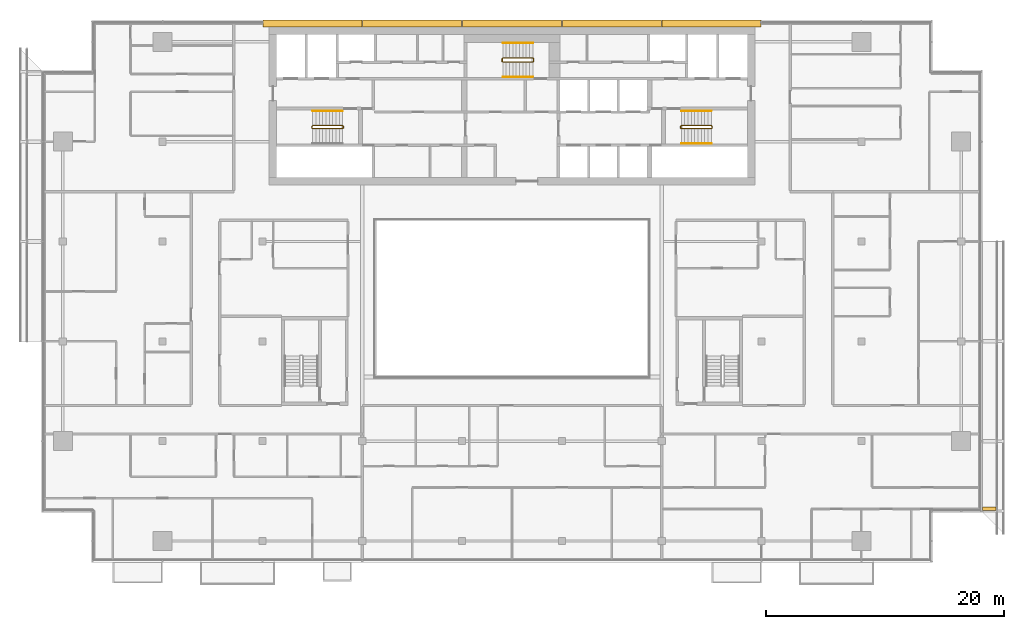
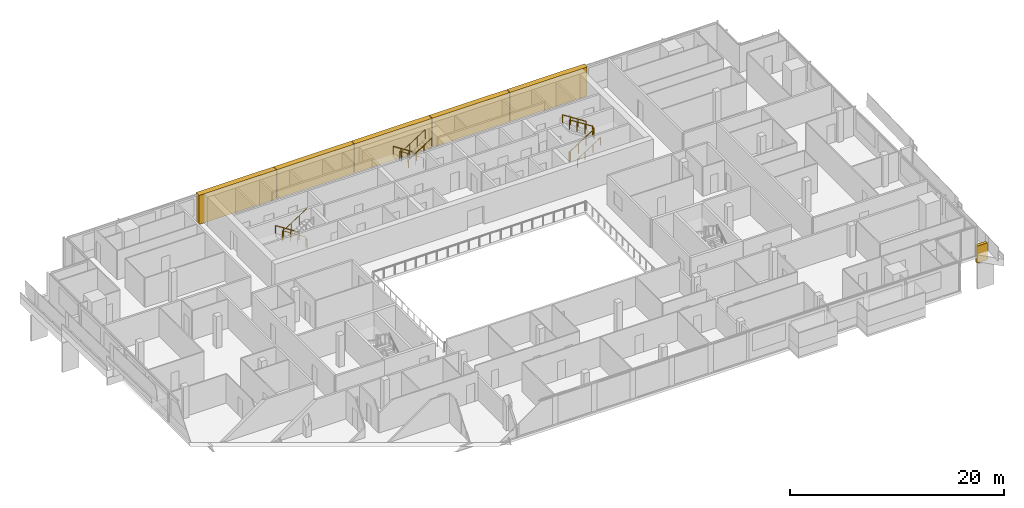
# One storey, part 28 of 29: 8 railings, 6 coverings.
"""IFC4 building model written with IfcOpenShell, lengths in metres."""

from ifc_helpers import new_model, si_unit, direction, frame, origin, origin_2d, place, context, subcontext, project, spatial, polyline, rectangle, circle, outline, extrude, material, layer, layer_set, type_object, element, save


model = new_model("IFC4")

# Units and contexts
model_context = context("Model", 3, precision=1e-05, world=origin(), true_north=direction((0.0, 1.0)))
body_context = subcontext(model_context, "Body", "Model", "MODEL_VIEW")
ifc_project = project(units=[si_unit("LENGTHUNIT", "METRE"), si_unit("AREAUNIT", "SQUARE_METRE"), si_unit("VOLUMEUNIT", "CUBIC_METRE"), si_unit("PLANEANGLEUNIT", "RADIAN"), si_unit("MASSUNIT", "GRAM", prefix="KILO")], contexts=[model_context])

# Site, building, storey
site_placement = place(None, origin())
site = spatial("IfcSite", under=ifc_project, at=site_placement, CompositionType="ELEMENT")
building_placement = place(site_placement, origin())
building = spatial("IfcBuilding", under=site, at=building_placement, Name="Saffron Gate Tower", CompositionType="ELEMENT")
storey_placement = place(building_placement, frame((0.0, 0.0, 219.89990234375)))
storey = spatial("IfcBuildingStorey", under=building, at=storey_placement, Name="L53", CompositionType="ELEMENT", Elevation=219.89990234375)

# Coverings
ifc_material_1 = material(Name="Ceramic-printed bronze insulated panel")
ifc_layer_1 = layer(ifc_material_1, 0.590087890625)
ifc_layer_set_1 = layer_set([ifc_layer_1], Name="CLD4 ceramic-printed cladding panel 590")
covering_type_1 = type_object("IfcCoveringType", Name="CLD4 ceramic-printed cladding panel 590", PredefinedType="CLADDING", material=ifc_layer_set_1)
covering_1_placement = place(storey_placement, origin())
element("IfcCovering", 1, at=covering_1_placement, inside=storey, type_object=covering_type_1, Name="CLADDING ceramic-printed panel", PredefinedType="CLADDING", context=body_context, shape_type="SweptSolid", body=[
    extrude(outline(polyline([(108.56494140625, 75.639892578125), (100.235107421875, 75.639892578125), (100.235107421875, 75.050048828125), (108.56494140625, 75.050048828125), (108.56494140625, 75.639892578125)])), origin(), (0.0, 0.0, 1.0), 3.320068359375),
])
covering_2_placement = place(storey_placement, origin())
element("IfcCovering", 2, at=covering_2_placement, inside=storey, type_object=covering_type_1, Name="CLADDING ceramic-printed panel", PredefinedType="CLADDING", context=body_context, shape_type="SweptSolid", body=[
    extrude(outline(polyline([(100.1650390625, 75.639892578125), (91.8349609375, 75.639892578125), (91.8349609375, 75.050048828125), (100.1650390625, 75.050048828125), (100.1650390625, 75.639892578125)])), origin(), (0.0, 0.0, 1.0), 3.320068359375),
])
covering_3_placement = place(storey_placement, origin())
element("IfcCovering", 3, at=covering_3_placement, inside=storey, type_object=covering_type_1, Name="CLADDING ceramic-printed panel", PredefinedType="CLADDING", context=body_context, shape_type="SweptSolid", body=[
    extrude(outline(polyline([(91.764892578125, 75.639892578125), (83.43505859375, 75.639892578125), (83.43505859375, 75.050048828125), (91.764892578125, 75.050048828125), (91.764892578125, 75.639892578125)])), origin(), (0.0, 0.0, 1.0), 3.320068359375),
])
covering_4_placement = place(storey_placement, origin())
element("IfcCovering", 4, at=covering_4_placement, inside=storey, type_object=covering_type_1, Name="CLADDING ceramic-printed panel", PredefinedType="CLADDING", context=body_context, shape_type="SweptSolid", body=[
    extrude(outline(polyline([(83.364990234375, 75.639892578125), (75.034912109375, 75.639892578125), (75.034912109375, 75.050048828125), (83.364990234375, 75.050048828125), (83.364990234375, 75.639892578125)])), origin(), (0.0, 0.0, 1.0), 3.320068359375),
])
covering_5_placement = place(storey_placement, origin())
element("IfcCovering", 5, at=covering_5_placement, inside=storey, type_object=covering_type_1, Name="CLADDING ceramic-printed panel", PredefinedType="CLADDING", context=body_context, shape_type="SweptSolid", body=[
    extrude(outline(polyline([(74.965087890625, 75.639892578125), (66.635009765625, 75.639892578125), (66.635009765625, 75.050048828125), (74.965087890625, 75.050048828125), (74.965087890625, 75.639892578125)])), origin(), (0.0, 0.0, 1.0), 3.320068359375),
])

# Railings
ifc_material_2 = material(Name="Stainless steel and laminated glass", Category="steel")
railing_type_1 = type_object("IfcRailingType", Name="CR1 Stair guard 1100", PredefinedType="GUARDRAIL", material=ifc_material_2)
railing_1_placement = place(storey_placement, frame((73.39990234375, 66.550048828125, 0.0)))
element("IfcRailing", 6, at=railing_1_placement, inside=storey, type_object=railing_type_1, Name="L53 ST-A stair guard 1", PredefinedType="GUARDRAIL", context=body_context, shape_type="SweptSolid", body=[
    extrude(circle(Radius=0.02392578125, at=origin_2d()), frame((0.0, 0.0, 1.076171875), z_axis=(0.0, 1.0, 0.0), x_axis=(-1.0, 0.0, 0.0)), (0.0, 0.0, 1.0), 0.14990234375),
    extrude(circle(Radius=0.02392578125, at=origin_2d()), frame((0.0, 0.14990234375, 1.076171875), z_axis=(-0.257366384619, 0.258627984543, 0.931060744355), x_axis=(-0.708833529934, -0.705375805398, 0.0)), (0.0, 0.0, 1.0), 0.193603515625),
    extrude(circle(Radius=0.02392578125, at=origin_2d()), frame((-0.0498046875, 0.199951171875, 1.25634765625), z_axis=(-0.841199657755, 0.0, 0.540724639528), x_axis=(0.0, -1.0, 0.0)), (0.0, 0.0, 1.0), 2.995849609375),
    extrude(circle(Radius=0.02392578125, at=origin_2d()), frame((-2.56982421875, 0.199951171875, 2.8759765625), z_axis=(-0.707106781187, -0.707106781187, 0.0), x_axis=(0.707106781187, -0.707106781187, 0.0)), (0.0, 0.0, 1.0), 0.07080078125),
    extrude(circle(Radius=0.02392578125, at=origin_2d()), frame((-2.619873046875, 0.14990234375, 2.8759765625), z_axis=(0.0, -1.0, 0.0), x_axis=(1.0, 0.0, 0.0)), (0.0, 0.0, 1.0), 0.14990234375),
    extrude(circle(Radius=0.02392578125, at=origin_2d()), frame((-2.619873046875, 0.0, 2.8759765625), z_axis=(0.258847668887, -0.258847668887, 0.930588936439), x_axis=(0.707106781187, 0.707106781187, 0.0)), (0.0, 0.0, 1.0), 0.193359375),
    extrude(circle(Radius=0.02392578125, at=origin_2d()), frame((-2.56982421875, -0.050048828125, 3.05615234375), z_axis=(0.841162588446, 0.0, 0.540782303519), x_axis=(0.0, 1.0, 0.0)), (0.0, 0.0, 1.0), 2.995849609375),
    extrude(circle(Radius=0.02099609375, at=origin_2d()), origin(), (0.0, 0.0, 1.0), 1.052001953125),
    extrude(circle(Radius=0.02099609375, at=origin_2d()), frame((0.0, 0.14990234375, 0.0)), (0.0, 0.0, 1.0), 1.052001953125),
    extrude(circle(Radius=0.02099609375, at=origin_2d()), frame((-0.0498046875, 0.199951171875, 0.18017578125)), (0.0, 0.0, 1.0), 1.052001953125),
    extrude(circle(Radius=0.02099609375, at=origin_2d()), frame((-0.889892578125, 0.199951171875, 0.72021484375)), (0.0, 0.0, 1.0), 1.052001953125),
    extrude(circle(Radius=0.02099609375, at=origin_2d()), frame((-1.729736328125, 0.199951171875, 1.260009765625)), (0.0, 0.0, 1.0), 1.052001953125),
    extrude(circle(Radius=0.02099609375, at=origin_2d()), frame((-2.56982421875, 0.199951171875, 1.800048828125)), (0.0, 0.0, 1.0), 1.052001953125),
    extrude(circle(Radius=0.02099609375, at=origin_2d()), frame((-2.619873046875, 0.14990234375, 1.800048828125)), (0.0, 0.0, 1.0), 1.052001953125),
    extrude(circle(Radius=0.02099609375, at=origin_2d()), frame((-2.619873046875, 0.0, 1.800048828125)), (0.0, 0.0, 1.0), 1.052001953125),
    extrude(circle(Radius=0.02099609375, at=origin_2d()), frame((-2.56982421875, -0.050048828125, 1.97998046875)), (0.0, 0.0, 1.0), 1.052001953125),
    extrude(circle(Radius=0.02099609375, at=origin_2d()), frame((-1.729736328125, -0.050048828125, 2.52001953125)), (0.0, 0.0, 1.0), 1.052001953125),
    extrude(circle(Radius=0.02099609375, at=origin_2d()), frame((-0.889892578125, -0.050048828125, 3.06005859375)), (0.0, 0.0, 1.0), 1.052001953125),
    extrude(circle(Radius=0.02099609375, at=origin_2d()), frame((-0.0498046875, -0.050048828125, 3.60009765625)), (0.0, 0.0, 1.0), 1.052001953125),
])
railing_2_placement = place(storey_placement, frame((101.800048828125, 66.699951171875, 0.0)))
element("IfcRailing", 7, at=railing_2_placement, inside=storey, type_object=railing_type_1, Name="L53 ST-B stair guard 1", PredefinedType="GUARDRAIL", context=body_context, shape_type="SweptSolid", body=[
    extrude(circle(Radius=0.02392578125, at=origin_2d()), frame((0.0, 0.0, 1.076171875), z_axis=(0.0, -1.0, 0.0), x_axis=(1.0, 0.0, 0.0)), (0.0, 0.0, 1.0), 0.14990234375),
    extrude(circle(Radius=0.02392578125, at=origin_2d()), frame((0.0, -0.14990234375, 1.076171875), z_axis=(0.258543844998, -0.258543844998, 0.930757841991), x_axis=(0.707106781187, 0.707106781187, 0.0)), (0.0, 0.0, 1.0), 0.193603515625),
    extrude(circle(Radius=0.02392578125, at=origin_2d()), frame((0.050048828125, -0.199951171875, 1.25634765625), z_axis=(0.841199657755, 0.0, 0.540724639528), x_axis=(0.0, 1.0, 0.0)), (0.0, 0.0, 1.0), 2.995849609375),
    extrude(circle(Radius=0.02392578125, at=origin_2d()), frame((2.570068359375, -0.199951171875, 2.8759765625), z_axis=(0.705375805398, 0.708833529934, 0.0), x_axis=(-0.708833529934, 0.705375805398, 0.0)), (0.0, 0.0, 1.0), 0.070556640625),
    extrude(circle(Radius=0.02392578125, at=origin_2d()), frame((2.619873046875, -0.14990234375, 2.8759765625), z_axis=(0.0, 1.0, 0.0), x_axis=(-1.0, 0.0, 0.0)), (0.0, 0.0, 1.0), 0.14990234375),
    extrude(circle(Radius=0.02392578125, at=origin_2d()), frame((2.619873046875, 0.0, 2.8759765625), z_axis=(-0.257669022063, 0.258932105505, 0.930892496375), x_axis=(-0.708833529934, -0.705375805398, 0.0)), (0.0, 0.0, 1.0), 0.193359375),
    extrude(circle(Radius=0.02392578125, at=origin_2d()), frame((2.570068359375, 0.050048828125, 3.05615234375), z_axis=(-0.841162588446, 0.0, 0.540782303519), x_axis=(0.0, -1.0, 0.0)), (0.0, 0.0, 1.0), 2.995849609375),
    extrude(circle(Radius=0.02099609375, at=origin_2d()), origin(), (0.0, 0.0, 1.0), 1.052001953125),
    extrude(circle(Radius=0.02099609375, at=origin_2d()), frame((0.0, -0.14990234375, 0.0)), (0.0, 0.0, 1.0), 1.052001953125),
    extrude(circle(Radius=0.02099609375, at=origin_2d()), frame((0.050048828125, -0.199951171875, 0.18017578125)), (0.0, 0.0, 1.0), 1.052001953125),
    extrude(circle(Radius=0.02099609375, at=origin_2d()), frame((0.89013671875, -0.199951171875, 0.72021484375)), (0.0, 0.0, 1.0), 1.052001953125),
    extrude(circle(Radius=0.02099609375, at=origin_2d()), frame((1.72998046875, -0.199951171875, 1.260009765625)), (0.0, 0.0, 1.0), 1.052001953125),
    extrude(circle(Radius=0.02099609375, at=origin_2d()), frame((2.570068359375, -0.199951171875, 1.800048828125)), (0.0, 0.0, 1.0), 1.052001953125),
    extrude(circle(Radius=0.02099609375, at=origin_2d()), frame((2.619873046875, -0.14990234375, 1.800048828125)), (0.0, 0.0, 1.0), 1.052001953125),
    extrude(circle(Radius=0.02099609375, at=origin_2d()), frame((2.619873046875, 0.0, 1.800048828125)), (0.0, 0.0, 1.0), 1.052001953125),
    extrude(circle(Radius=0.02099609375, at=origin_2d()), frame((2.570068359375, 0.050048828125, 1.97998046875)), (0.0, 0.0, 1.0), 1.052001953125),
    extrude(circle(Radius=0.02099609375, at=origin_2d()), frame((1.72998046875, 0.050048828125, 2.52001953125)), (0.0, 0.0, 1.0), 1.052001953125),
    extrude(circle(Radius=0.02099609375, at=origin_2d()), frame((0.89013671875, 0.050048828125, 3.06005859375)), (0.0, 0.0, 1.0), 1.052001953125),
    extrude(circle(Radius=0.02099609375, at=origin_2d()), frame((0.050048828125, 0.050048828125, 3.60009765625)), (0.0, 0.0, 1.0), 1.052001953125),
])
railing_3_placement = place(storey_placement, frame((89.39990234375, 72.14990234375, 0.0)))
element("IfcRailing", 8, at=railing_3_placement, inside=storey, type_object=railing_type_1, Name="L53 ST-C stair guard 1", PredefinedType="GUARDRAIL", context=body_context, shape_type="SweptSolid", body=[
    extrude(circle(Radius=0.02392578125, at=origin_2d()), frame((0.0, 0.0, 1.076171875), z_axis=(0.0, 1.0, 0.0), x_axis=(-1.0, 0.0, 0.0)), (0.0, 0.0, 1.0), 0.25),
    extrude(circle(Radius=0.02392578125, at=origin_2d()), frame((0.0, 0.25, 1.076171875), z_axis=(-0.257366384619, 0.258627984543, 0.931060744355), x_axis=(-0.708833529934, -0.705375805398, 0.0)), (0.0, 0.0, 1.0), 0.193603515625),
    extrude(circle(Radius=0.02392578125, at=origin_2d()), frame((-0.0498046875, 0.300048828125, 1.25634765625), z_axis=(-0.841199657755, 0.0, 0.540724639528), x_axis=(0.0, -1.0, 0.0)), (0.0, 0.0, 1.0), 2.995849609375),
    extrude(circle(Radius=0.02392578125, at=origin_2d()), frame((-2.56982421875, 0.300048828125, 2.8759765625), z_axis=(-0.707106781187, -0.707106781187, 0.0), x_axis=(0.707106781187, -0.707106781187, 0.0)), (0.0, 0.0, 1.0), 0.07080078125),
    extrude(circle(Radius=0.02392578125, at=origin_2d()), frame((-2.619873046875, 0.25, 2.8759765625), z_axis=(0.0, -1.0, 0.0), x_axis=(1.0, 0.0, 0.0)), (0.0, 0.0, 1.0), 0.25),
    extrude(circle(Radius=0.02392578125, at=origin_2d()), frame((-2.619873046875, 0.0, 2.8759765625), z_axis=(0.258932105505, -0.257669022063, 0.930892496375), x_axis=(0.705375805398, 0.708833529934, 0.0)), (0.0, 0.0, 1.0), 0.193359375),
    extrude(circle(Radius=0.02392578125, at=origin_2d()), frame((-2.56982421875, -0.0498046875, 3.05615234375), z_axis=(0.841162588446, 0.0, 0.540782303519), x_axis=(0.0, 1.0, 0.0)), (0.0, 0.0, 1.0), 2.995849609375),
    extrude(circle(Radius=0.02099609375, at=origin_2d()), origin(), (0.0, 0.0, 1.0), 1.052001953125),
    extrude(circle(Radius=0.02099609375, at=origin_2d()), frame((0.0, 0.25, 0.0)), (0.0, 0.0, 1.0), 1.052001953125),
    extrude(circle(Radius=0.02099609375, at=origin_2d()), frame((-0.0498046875, 0.300048828125, 0.18017578125)), (0.0, 0.0, 1.0), 1.052001953125),
    extrude(circle(Radius=0.02099609375, at=origin_2d()), frame((-0.889892578125, 0.300048828125, 0.72021484375)), (0.0, 0.0, 1.0), 1.052001953125),
    extrude(circle(Radius=0.02099609375, at=origin_2d()), frame((-1.729736328125, 0.300048828125, 1.260009765625)), (0.0, 0.0, 1.0), 1.052001953125),
    extrude(circle(Radius=0.02099609375, at=origin_2d()), frame((-2.56982421875, 0.300048828125, 1.800048828125)), (0.0, 0.0, 1.0), 1.052001953125),
    extrude(circle(Radius=0.02099609375, at=origin_2d()), frame((-2.619873046875, 0.25, 1.800048828125)), (0.0, 0.0, 1.0), 1.052001953125),
    extrude(circle(Radius=0.02099609375, at=origin_2d()), frame((-2.619873046875, 0.0, 1.800048828125)), (0.0, 0.0, 1.0), 1.052001953125),
    extrude(circle(Radius=0.02099609375, at=origin_2d()), frame((-2.56982421875, -0.0498046875, 1.97998046875)), (0.0, 0.0, 1.0), 1.052001953125),
    extrude(circle(Radius=0.02099609375, at=origin_2d()), frame((-1.729736328125, -0.0498046875, 2.52001953125)), (0.0, 0.0, 1.0), 1.052001953125),
    extrude(circle(Radius=0.02099609375, at=origin_2d()), frame((-0.889892578125, -0.0498046875, 3.06005859375)), (0.0, 0.0, 1.0), 1.052001953125),
    extrude(circle(Radius=0.02099609375, at=origin_2d()), frame((-0.0498046875, -0.0498046875, 3.60009765625)), (0.0, 0.0, 1.0), 1.052001953125),
])
ifc_material_3 = material(Name="Stainless steel", Category="steel")
railing_type_2 = type_object("IfcRailingType", Name="CR2 Stair handrail 900", PredefinedType="HANDRAIL", material=ifc_material_3)
railing_4_placement = place(storey_placement, frame((73.35009765625, 68.0, 0.18017578125)))
element("IfcRailing", 9, at=railing_4_placement, inside=storey, type_object=railing_type_2, Name="L53 ST-A stair handrail 1", PredefinedType="HANDRAIL", context=body_context, shape_type="SweptSolid", body=[
    extrude(circle(Radius=0.02392578125, at=origin_2d()), frame((0.0, 0.0, 0.8759765625), z_axis=(-0.841199657755, 0.0, 0.540724639528), x_axis=(0.0, -1.0, 0.0)), (0.0, 0.0, 1.0), 2.995849609375),
    extrude(circle(Radius=0.02099609375, at=origin_2d()), origin(), (0.0, 0.0, 1.0), 0.851806640625),
    extrude(circle(Radius=0.02099609375, at=origin_2d()), frame((-0.840087890625, 0.0, 0.5400390625)), (0.0, 0.0, 1.0), 0.851806640625),
    extrude(circle(Radius=0.02099609375, at=origin_2d()), frame((-1.679931640625, 0.0, 1.079833984375)), (0.0, 0.0, 1.0), 0.851806640625),
    extrude(circle(Radius=0.02099609375, at=origin_2d()), frame((-2.52001953125, 0.0, 1.619873046875)), (0.0, 0.0, 1.0), 0.851806640625),
])
railing_5_placement = place(storey_placement, frame((101.85009765625, 65.25, 0.18017578125)))
element("IfcRailing", 10, at=railing_5_placement, inside=storey, type_object=railing_type_2, Name="L53 ST-B stair handrail 1", PredefinedType="HANDRAIL", context=body_context, shape_type="SweptSolid", body=[
    extrude(circle(Radius=0.02392578125, at=origin_2d()), frame((0.0, 0.0, 0.8759765625), z_axis=(0.841199657755, 0.0, 0.540724639528), x_axis=(0.0, 1.0, 0.0)), (0.0, 0.0, 1.0), 2.995849609375),
    extrude(circle(Radius=0.02099609375, at=origin_2d()), origin(), (0.0, 0.0, 1.0), 0.851806640625),
    extrude(circle(Radius=0.02099609375, at=origin_2d()), frame((0.840087890625, 0.0, 0.5400390625)), (0.0, 0.0, 1.0), 0.851806640625),
    extrude(circle(Radius=0.02099609375, at=origin_2d()), frame((1.679931640625, 0.0, 1.079833984375)), (0.0, 0.0, 1.0), 0.851806640625),
    extrude(circle(Radius=0.02099609375, at=origin_2d()), frame((2.52001953125, 0.0, 1.619873046875)), (0.0, 0.0, 1.0), 0.851806640625),
])
railing_6_placement = place(storey_placement, frame((104.3701171875, 68.0, 1.97998046875)))
element("IfcRailing", 11, at=railing_6_placement, inside=storey, type_object=railing_type_2, Name="L53 ST-B stair handrail 2", PredefinedType="HANDRAIL", context=body_context, shape_type="SweptSolid", body=[
    extrude(circle(Radius=0.02392578125, at=origin_2d()), frame((0.0, 0.0, 0.8759765625), z_axis=(-0.841162588446, 0.0, 0.540782303519), x_axis=(0.0, -1.0, 0.0)), (0.0, 0.0, 1.0), 2.995849609375),
    extrude(circle(Radius=0.02099609375, at=origin_2d()), origin(), (0.0, 0.0, 1.0), 0.851806640625),
    extrude(circle(Radius=0.02099609375, at=origin_2d()), frame((-0.840087890625, 0.0, 0.5400390625)), (0.0, 0.0, 1.0), 0.851806640625),
    extrude(circle(Radius=0.02099609375, at=origin_2d()), frame((-1.679931640625, 0.0, 1.080078125)), (0.0, 0.0, 1.0), 0.851806640625),
    extrude(circle(Radius=0.02099609375, at=origin_2d()), frame((-2.52001953125, 0.0, 1.6201171875)), (0.0, 0.0, 1.0), 0.851806640625),
])
railing_7_placement = place(storey_placement, frame((89.35009765625, 73.699951171875, 0.18017578125)))
element("IfcRailing", 12, at=railing_7_placement, inside=storey, type_object=railing_type_2, Name="L53 ST-C stair handrail 1", PredefinedType="HANDRAIL", context=body_context, shape_type="SweptSolid", body=[
    extrude(circle(Radius=0.02392578125, at=origin_2d()), frame((0.0, 0.0, 0.8759765625), z_axis=(-0.841199657755, 0.0, 0.540724639528), x_axis=(0.0, -1.0, 0.0)), (0.0, 0.0, 1.0), 2.995849609375),
    extrude(circle(Radius=0.02099609375, at=origin_2d()), origin(), (0.0, 0.0, 1.0), 0.851806640625),
    extrude(circle(Radius=0.02099609375, at=origin_2d()), frame((-0.840087890625, 0.0, 0.5400390625)), (0.0, 0.0, 1.0), 0.851806640625),
    extrude(circle(Radius=0.02099609375, at=origin_2d()), frame((-1.679931640625, 0.0, 1.079833984375)), (0.0, 0.0, 1.0), 0.851806640625),
    extrude(circle(Radius=0.02099609375, at=origin_2d()), frame((-2.52001953125, 0.0, 1.619873046875)), (0.0, 0.0, 1.0), 0.851806640625),
])
railing_8_placement = place(storey_placement, frame((86.830078125, 70.85009765625, 1.97998046875)))
element("IfcRailing", 13, at=railing_8_placement, inside=storey, type_object=railing_type_2, Name="L53 ST-C stair handrail 2", PredefinedType="HANDRAIL", context=body_context, shape_type="SweptSolid", body=[
    extrude(circle(Radius=0.02392578125, at=origin_2d()), frame((0.0, 0.0, 0.8759765625), z_axis=(0.841162588446, 0.0, 0.540782303519), x_axis=(0.0, 1.0, 0.0)), (0.0, 0.0, 1.0), 2.995849609375),
    extrude(circle(Radius=0.02099609375, at=origin_2d()), origin(), (0.0, 0.0, 1.0), 0.851806640625),
    extrude(circle(Radius=0.02099609375, at=origin_2d()), frame((0.840087890625, 0.0, 0.5400390625)), (0.0, 0.0, 1.0), 0.851806640625),
    extrude(circle(Radius=0.02099609375, at=origin_2d()), frame((1.679931640625, 0.0, 1.080078125)), (0.0, 0.0, 1.0), 0.851806640625),
    extrude(circle(Radius=0.02099609375, at=origin_2d()), frame((2.52001953125, 0.0, 1.6201171875)), (0.0, 0.0, 1.0), 0.851806640625),
])

# Covering
ifc_material_4 = material(Name="Timber, thermally modified ash", Category="wood")
ifc_layer_2 = layer(ifc_material_4, 0.300048828125)
ifc_layer_set_2 = layer_set([ifc_layer_2], Name="LD3 ledge riser fin")
covering_type_2 = type_object("IfcCoveringType", Name="LD3 ledge riser fin", PredefinedType="CLADDING", material=ifc_layer_set_2)
covering_6_placement = place(storey_placement, frame((127.760009765625, 34.5, -0.9580078125), z_axis=(0.0, 0.0, 1.0), x_axis=(0.0, 1.0, 0.0)))
element("IfcCovering", 14, at=covering_6_placement, inside=storey, type_object=covering_type_2, Name="LEDGE riser fin", PredefinedType="CLADDING", context=body_context, shape_type="SweptSolid", body=[
    extrude(rectangle(XDim=0.300048828125, YDim=1.1201171875, at=origin_2d()), origin(), (0.0, 0.0, 1.0), 1.957275390625),
])

save(model, "model.ifc")
